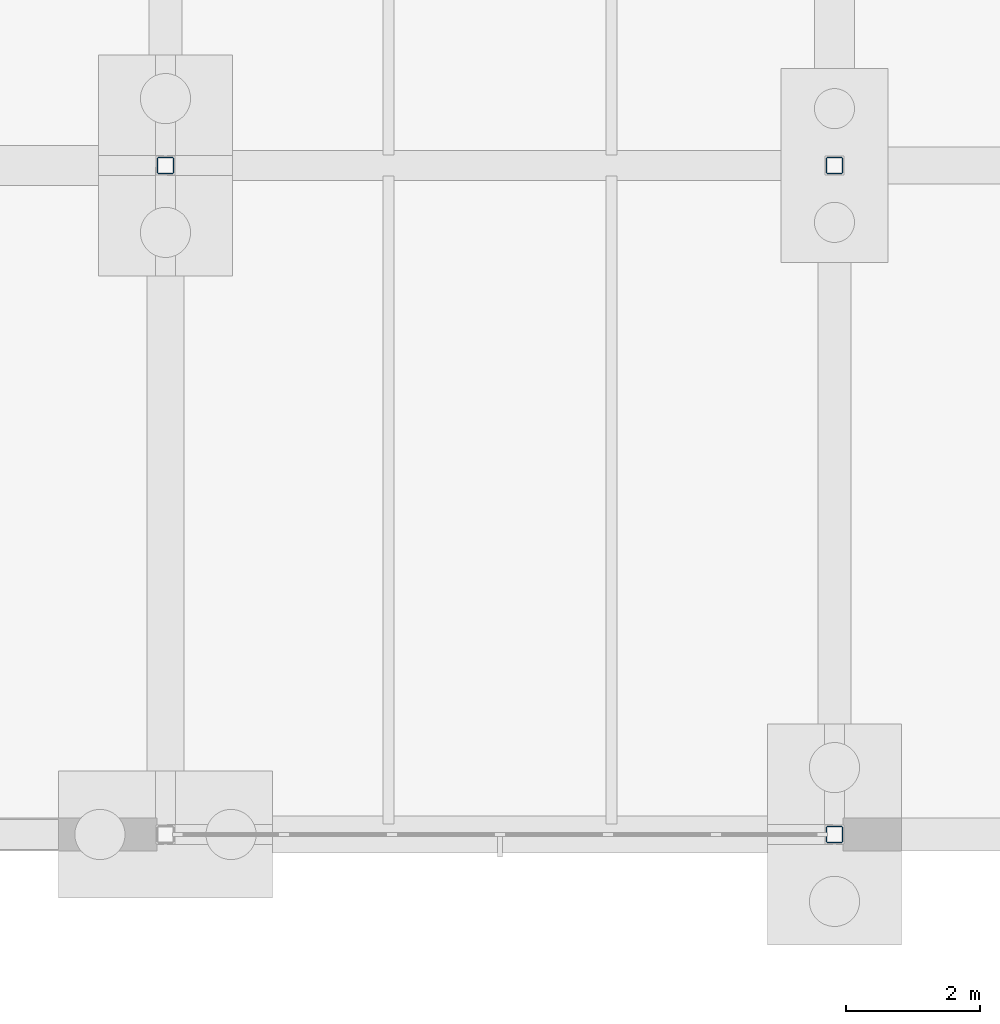
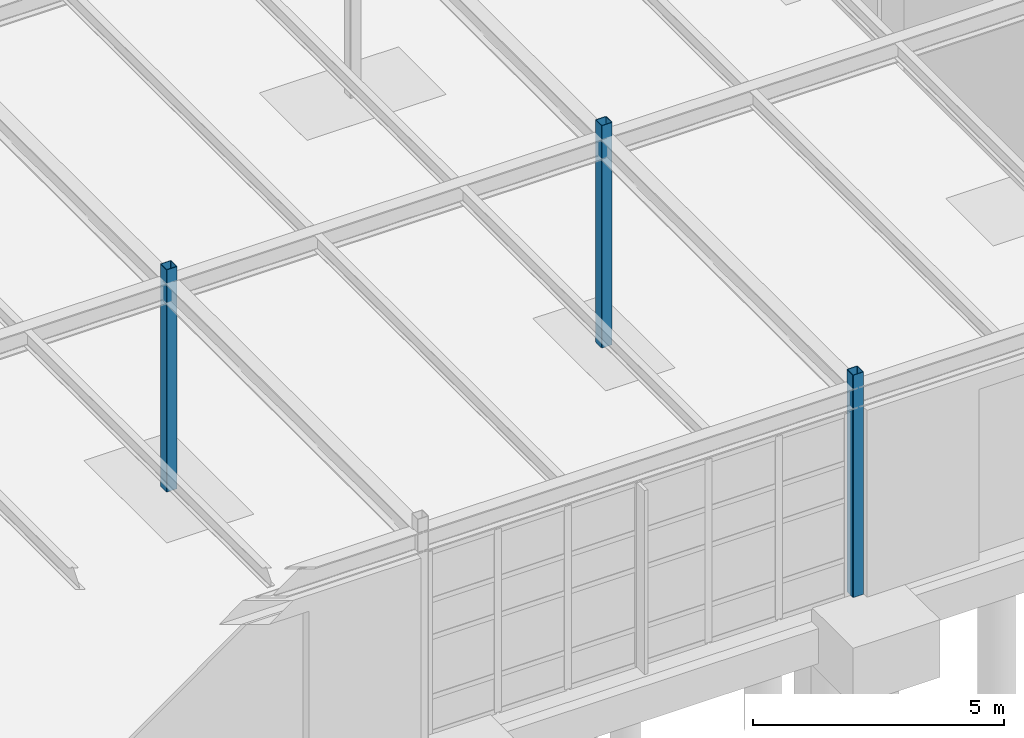
# One storey, part 15 of 145: 3 columns.
"""IFC4 building model written with IfcOpenShell, lengths in metres."""

from ifc_helpers import new_model, si_unit, direction, frame, origin, origin_2d, place, context, subcontext, project, spatial, hollow_rectangle, extrude, material, material_profile, profile_set, type_object, element, save


model = new_model("IFC4")

# Units and contexts
model_context = context("Model", 3, precision=1e-05, world=origin(), true_north=direction((0.0, 1.0)))
body_context = subcontext(model_context, "Body", "Model", "MODEL_VIEW")
ifc_project = project(units=[si_unit("LENGTHUNIT", "METRE"), si_unit("AREAUNIT", "SQUARE_METRE"), si_unit("VOLUMEUNIT", "CUBIC_METRE"), si_unit("PLANEANGLEUNIT", "RADIAN"), si_unit("MASSUNIT", "GRAM", prefix="KILO"), si_unit("THERMODYNAMICTEMPERATUREUNIT", "KELVIN"), si_unit("POWERUNIT", "WATT")], contexts=[model_context])

# Site, building, storey
site_placement = place(None, origin())
site = spatial("IfcSite", under=ifc_project, at=site_placement, CompositionType="ELEMENT")
building_placement = place(site_placement, origin())
building = spatial("IfcBuilding", under=site, at=building_placement, Name="Korenveer Ferry Terminal", CompositionType="ELEMENT")
storey_placement = place(building_placement, origin())
storey = spatial("IfcBuildingStorey", under=building, at=storey_placement, Name="L00", CompositionType="ELEMENT", Elevation=0.0)

# Columns
ifc_material = material(Name="Steel S355", Category="steel")
ifc_material_profile = material_profile(ifc_material, hollow_rectangle(XDim=0.25, YDim=0.25, WallThickness=0.012451171875, InnerFilletRadius=0.012451171875, OuterFilletRadius=0.018798828125, at=origin_2d()), Name="SHS 250x250x12.5")
ifc_profile_set = profile_set([ifc_material_profile], Name="Steel S355")
column_type = type_object("IfcColumnType", Name="STR-COL-SHS250", PredefinedType="COLUMN", material=ifc_profile_set)
for number, where, z_axis, x_axis, name in (
    (1, (83.0, 30.0, 0.0), (0.0, 0.0, 1.0), (1.0, 0.0, 0.0), "Column COL-L00-X83-Y30"),
    (2, (93.0, 20.0, 0.0), (0.0, 0.0, 1.0), (1.0, 0.0, 0.0), "Column COL-L00-X93-Y20"),
    (3, (93.0, 30.0, 0.0), (0.0, 0.0, 1.0), (1.0, 0.0, 0.0), "Column COL-L00-X93-Y30"),
):
    element("IfcColumn", number, at=place(storey_placement, frame(where, z_axis=z_axis, x_axis=x_axis)), inside=storey, type_object=column_type, Name=name, PredefinedType="COLUMN", context=body_context, shape_type="SweptSolid", body=[
        extrude(hollow_rectangle(XDim=0.25, YDim=0.25, WallThickness=0.012451171875, InnerFilletRadius=0.012451171875, OuterFilletRadius=0.018798828125, at=origin_2d()), origin(), (0.0, 0.0, 1.0), 5.39990234375),
    ])

save(model, "model.ifc")
